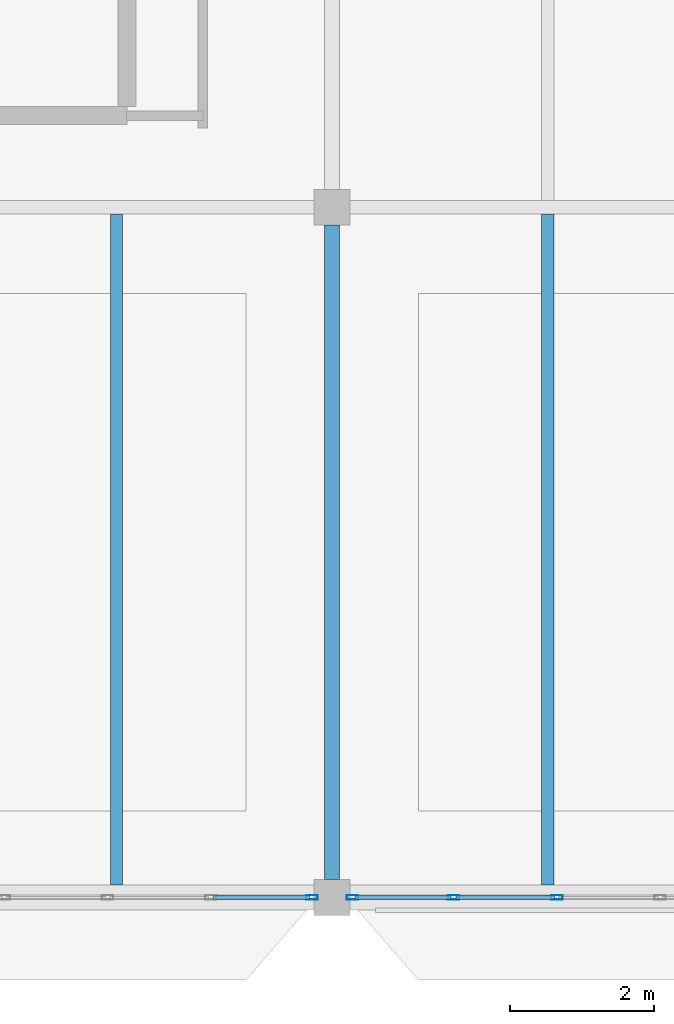
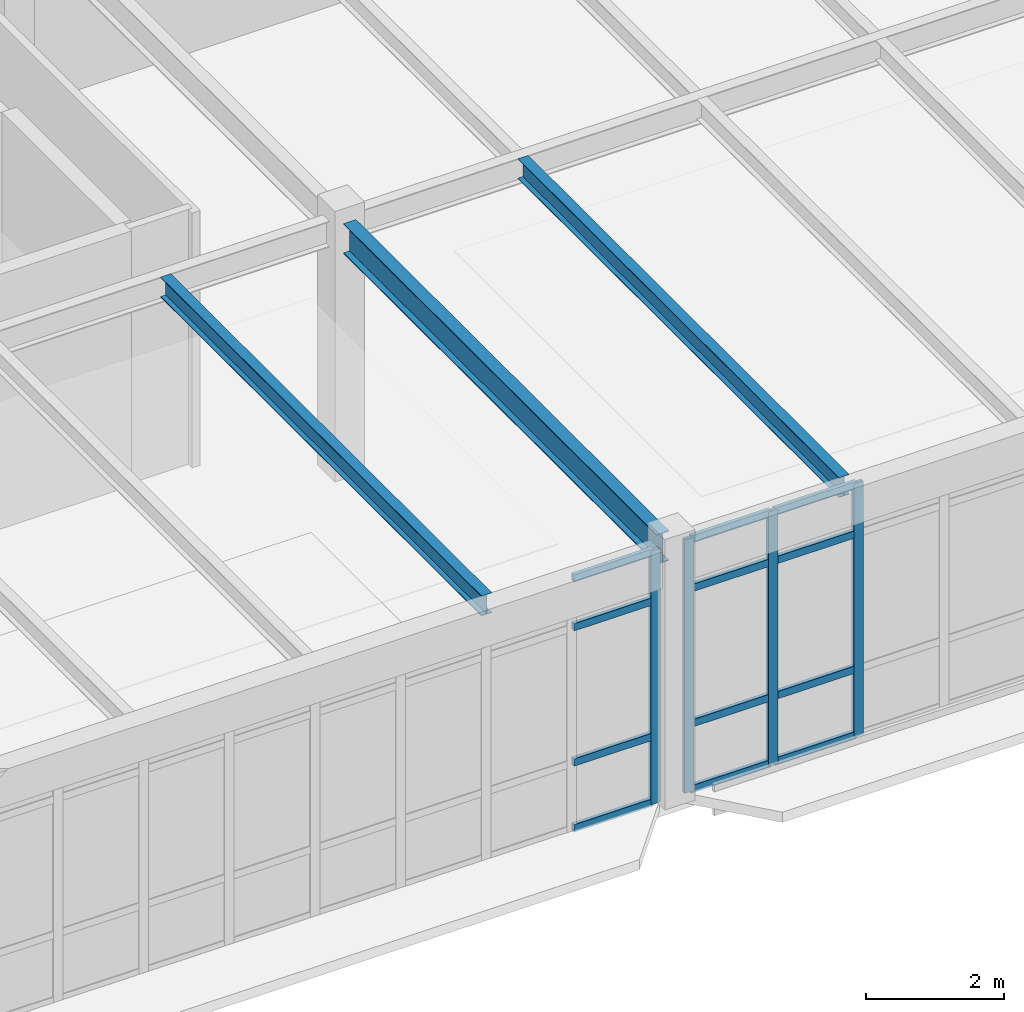
# One storey, part 11 of 236: 16 members, 3 beams, 2 elements without a shape of their own.
"""IFC4 building model written with IfcOpenShell, lengths in metres."""

from ifc_helpers import new_model, si_unit, direction, frame, origin, origin_2d, place, context, subcontext, project, spatial, hollow_rectangle, i_section, extrude, material, layer, layer_set, material_profile, profile_set, type_object, element, aggregate, save


model = new_model("IFC4")

# Units and contexts
model_context = context("Model", 3, precision=1e-05, world=origin(), true_north=direction((0.0, 1.0)))
body_context = subcontext(model_context, "Body", "Model", "MODEL_VIEW")
ifc_project = project(units=[si_unit("LENGTHUNIT", "METRE"), si_unit("AREAUNIT", "SQUARE_METRE"), si_unit("VOLUMEUNIT", "CUBIC_METRE"), si_unit("PLANEANGLEUNIT", "RADIAN"), si_unit("MASSUNIT", "GRAM", prefix="KILO")], contexts=[model_context])

# Site, building, storey
site_placement = place(None, origin())
site = spatial("IfcSite", under=ifc_project, at=site_placement, CompositionType="ELEMENT")
building_placement = place(site_placement, origin())
building = spatial("IfcBuilding", under=site, at=building_placement, Name="Pandanus Reach Market Hall", CompositionType="ELEMENT")
storey_placement = place(building_placement, frame((0.0, 0.0, 5.39990234375)))
storey = spatial("IfcBuildingStorey", under=building, at=storey_placement, Name="L01", CompositionType="ELEMENT", Elevation=5.39990234375)

# Beam
ifc_material_1 = material(Name="Steel Grade 350 (350 MPa)", Category="steel")
ifc_material_profile_1 = material_profile(ifc_material_1, i_section(OverallWidth=0.208984375, OverallDepth=0.532958984375, WebThickness=0.01025390625, FlangeThickness=0.015625, at=origin_2d()), Name="530UB92.4", Category="LoadBearing")
ifc_profile_set_1 = profile_set([ifc_material_profile_1], Name="Steel Grade 350 (350 MPa)")
beam_type_1 = type_object("IfcBeamType", Name="BM-UB530-I", PredefinedType="BEAM", material=ifc_profile_set_1)
beam_placement = place(storey_placement, frame((12.0, 0.248046875, 4.268310546875), z_axis=(0.0, 1.0, 0.0), x_axis=(-1.0, 0.0, 0.0)))
element("IfcBeam", 1, at=beam_placement, inside=storey, type_object=beam_type_1, Name="Framing beam BM-UB530-I L01.981", PredefinedType="BEAM", context=body_context, shape_type="SweptSolid", body=[
    extrude(i_section(OverallWidth=0.208984375, OverallDepth=0.532958984375, WebThickness=0.01025390625, FlangeThickness=0.015625, at=origin_2d()), origin(), (0.0, 0.0, 1.0), 9.10400390625),
])

# Curtain wall, member
ifc_material_2 = material(Name="Bronze anodised aluminium and low-E glass", Category="aluminium")
ifc_layer = layer(ifc_material_2, 0.159912109375, Name="CW-15")
ifc_layer_set = layer_set([ifc_layer], Name="Bronze anodised aluminium and low-E glass")
curtain_wall_type = type_object("IfcCurtainWallType", Name="CW-15", PredefinedType="NOTDEFINED", material=ifc_layer_set)
curtain_wall_1_placement = place(storey_placement, origin())
curtain_wall_1 = element("IfcCurtainWall", 2, at=curtain_wall_1_placement, inside=storey, type_object=curtain_wall_type, Name="Glazed curtain wall CW-15 CW-0054", PredefinedType="NOTDEFINED")
ifc_material_3 = material(Name="Bronze anodised aluminium", Category="aluminium")
ifc_material_profile_2 = material_profile(ifc_material_3, hollow_rectangle(XDim=0.06494140625, YDim=0.159912109375, WallThickness=0.00390625, at=origin_2d()), Name="ALU65x160", Category="LoadBearing")
ifc_profile_set_2 = profile_set([ifc_material_profile_2], Name="Bronze anodised aluminium")
member_type_1 = type_object("IfcMemberType", Name="CW-M1", PredefinedType="MULLION", material=ifc_profile_set_2)
member_1_placement = place(storey_placement, frame((11.717529296875, 0.0, 0.0), z_axis=(0.0, 0.0, 1.0), x_axis=(0.0, 1.0, 0.0)))
member_1 = element("IfcMember", 3, at=member_1_placement, type_object=member_type_1, Name="CW-15 mullion 9", PredefinedType="MULLION", context=body_context, shape_type="SweptSolid", body=[
    extrude(hollow_rectangle(XDim=0.06494140625, YDim=0.159912109375, WallThickness=0.00390625, at=origin_2d()), origin(), (0.0, 0.0, 1.0), 4.5),
])

# Curtain wall, members
curtain_wall_2_placement = place(storey_placement, origin())
curtain_wall_2 = element("IfcCurtainWall", 4, at=curtain_wall_2_placement, inside=storey, type_object=curtain_wall_type, Name="Glazed curtain wall CW-15 CW-0055", PredefinedType="NOTDEFINED")
member_2_placement = place(storey_placement, frame((12.282470703125, 0.0, 0.0), z_axis=(0.0, 0.0, 1.0), x_axis=(0.0, 1.0, 0.0)))
member_2 = element("IfcMember", 5, at=member_2_placement, type_object=member_type_1, Name="CW-15 mullion 1", PredefinedType="MULLION", context=body_context, shape_type="SweptSolid", body=[
    extrude(hollow_rectangle(XDim=0.06494140625, YDim=0.159912109375, WallThickness=0.00390625, at=origin_2d()), origin(), (0.0, 0.0, 1.0), 4.5),
])
member_3_placement = place(storey_placement, frame((13.6875, 0.0, 0.0), z_axis=(0.0, 0.0, 1.0), x_axis=(0.0, 1.0, 0.0)))
member_3 = element("IfcMember", 6, at=member_3_placement, type_object=member_type_1, Name="CW-15 mullion 2", PredefinedType="MULLION", context=body_context, shape_type="SweptSolid", body=[
    extrude(hollow_rectangle(XDim=0.06494140625, YDim=0.159912109375, WallThickness=0.00390625, at=origin_2d()), origin(), (0.0, 0.0, 1.0), 4.5),
])
member_4_placement = place(storey_placement, frame((15.125, 0.0, 0.0), z_axis=(0.0, 0.0, 1.0), x_axis=(0.0, 1.0, 0.0)))
member_4 = element("IfcMember", 7, at=member_4_placement, type_object=member_type_1, Name="CW-15 mullion 3", PredefinedType="MULLION", context=body_context, shape_type="SweptSolid", body=[
    extrude(hollow_rectangle(XDim=0.06494140625, YDim=0.159912109375, WallThickness=0.00390625, at=origin_2d()), origin(), (0.0, 0.0, 1.0), 4.5),
])

# Member
ifc_material_profile_3 = material_profile(ifc_material_3, hollow_rectangle(XDim=0.06494140625, YDim=0.1298828125, WallThickness=0.00390625, at=origin_2d()), Name="ALU65x130", Category="LoadBearing")
ifc_profile_set_3 = profile_set([ifc_material_profile_3], Name="Bronze anodised aluminium")
member_type_2 = type_object("IfcMemberType", Name="CW-T1", PredefinedType="USERDEFINED", material=ifc_profile_set_3)
member_5_placement = place(storey_placement, frame((10.344970703125, 0.0, 0.03271484375), z_axis=(1.0, 0.0, 0.0), x_axis=(0.0, 1.0, 0.0)))
member_5 = element("IfcMember", 8, at=member_5_placement, type_object=member_type_2, Name="CW-15 transom 8.1", ObjectType="TRANSOM", PredefinedType="USERDEFINED", context=body_context, shape_type="SweptSolid", body=[
    extrude(hollow_rectangle(XDim=0.06494140625, YDim=0.1298828125, WallThickness=0.00390625, at=origin_2d()), origin(), (0.0, 0.0, 1.0), 1.340087890625),
])

member_6_placement = place(storey_placement, frame((10.344970703125, 0.0, 1.2001953125), z_axis=(1.0, 0.0, 0.0), x_axis=(0.0, 1.0, 0.0)))
member_6 = element("IfcMember", 9, at=member_6_placement, type_object=member_type_2, Name="CW-15 transom 8.2", ObjectType="TRANSOM", PredefinedType="USERDEFINED", context=body_context, shape_type="SweptSolid", body=[
    extrude(hollow_rectangle(XDim=0.06494140625, YDim=0.1298828125, WallThickness=0.00390625, at=origin_2d()), origin(), (0.0, 0.0, 1.0), 1.340087890625),
])

member_7_placement = place(storey_placement, frame((10.344970703125, 0.0, 3.60009765625), z_axis=(1.0, 0.0, 0.0), x_axis=(0.0, 1.0, 0.0)))
member_7 = element("IfcMember", 10, at=member_7_placement, type_object=member_type_2, Name="CW-15 transom 8.3", ObjectType="TRANSOM", PredefinedType="USERDEFINED", context=body_context, shape_type="SweptSolid", body=[
    extrude(hollow_rectangle(XDim=0.06494140625, YDim=0.1298828125, WallThickness=0.00390625, at=origin_2d()), origin(), (0.0, 0.0, 1.0), 1.340087890625),
])

member_8_placement = place(storey_placement, frame((10.344970703125, 0.0, 4.467529296875), z_axis=(1.0, 0.0, 0.0), x_axis=(0.0, 1.0, 0.0)))
member_8 = element("IfcMember", 11, at=member_8_placement, type_object=member_type_2, Name="CW-15 transom 8.4", ObjectType="TRANSOM", PredefinedType="USERDEFINED", context=body_context, shape_type="SweptSolid", body=[
    extrude(hollow_rectangle(XDim=0.06494140625, YDim=0.1298828125, WallThickness=0.00390625, at=origin_2d()), origin(), (0.0, 0.0, 1.0), 1.340087890625),
])

aggregate(curtain_wall_1, [member_1, member_5, member_6, member_7, member_8])

member_9_placement = place(storey_placement, frame((12.31494140625, 0.0, 0.03271484375), z_axis=(1.0, 0.0, 0.0), x_axis=(0.0, 1.0, 0.0)))
member_9 = element("IfcMember", 12, at=member_9_placement, type_object=member_type_2, Name="CW-15 transom 1.1", ObjectType="TRANSOM", PredefinedType="USERDEFINED", context=body_context, shape_type="SweptSolid", body=[
    extrude(hollow_rectangle(XDim=0.06494140625, YDim=0.1298828125, WallThickness=0.00390625, at=origin_2d()), origin(), (0.0, 0.0, 1.0), 1.340087890625),
])

member_10_placement = place(storey_placement, frame((12.31494140625, 0.0, 1.2001953125), z_axis=(1.0, 0.0, 0.0), x_axis=(0.0, 1.0, 0.0)))
member_10 = element("IfcMember", 13, at=member_10_placement, type_object=member_type_2, Name="CW-15 transom 1.2", ObjectType="TRANSOM", PredefinedType="USERDEFINED", context=body_context, shape_type="SweptSolid", body=[
    extrude(hollow_rectangle(XDim=0.06494140625, YDim=0.1298828125, WallThickness=0.00390625, at=origin_2d()), origin(), (0.0, 0.0, 1.0), 1.340087890625),
])

member_11_placement = place(storey_placement, frame((12.31494140625, 0.0, 3.60009765625), z_axis=(1.0, 0.0, 0.0), x_axis=(0.0, 1.0, 0.0)))
member_11 = element("IfcMember", 14, at=member_11_placement, type_object=member_type_2, Name="CW-15 transom 1.3", ObjectType="TRANSOM", PredefinedType="USERDEFINED", context=body_context, shape_type="SweptSolid", body=[
    extrude(hollow_rectangle(XDim=0.06494140625, YDim=0.1298828125, WallThickness=0.00390625, at=origin_2d()), origin(), (0.0, 0.0, 1.0), 1.340087890625),
])

member_12_placement = place(storey_placement, frame((12.31494140625, 0.0, 4.467529296875), z_axis=(1.0, 0.0, 0.0), x_axis=(0.0, 1.0, 0.0)))
member_12 = element("IfcMember", 15, at=member_12_placement, type_object=member_type_2, Name="CW-15 transom 1.4", ObjectType="TRANSOM", PredefinedType="USERDEFINED", context=body_context, shape_type="SweptSolid", body=[
    extrude(hollow_rectangle(XDim=0.06494140625, YDim=0.1298828125, WallThickness=0.00390625, at=origin_2d()), origin(), (0.0, 0.0, 1.0), 1.340087890625),
])

member_13_placement = place(storey_placement, frame((13.719970703125, 0.0, 0.03271484375), z_axis=(1.0, 0.0, 0.0), x_axis=(0.0, 1.0, 0.0)))
member_13 = element("IfcMember", 16, at=member_13_placement, type_object=member_type_2, Name="CW-15 transom 2.1", ObjectType="TRANSOM", PredefinedType="USERDEFINED", context=body_context, shape_type="SweptSolid", body=[
    extrude(hollow_rectangle(XDim=0.06494140625, YDim=0.1298828125, WallThickness=0.00390625, at=origin_2d()), origin(), (0.0, 0.0, 1.0), 1.37255859375),
])

member_14_placement = place(storey_placement, frame((13.719970703125, 0.0, 1.2001953125), z_axis=(1.0, 0.0, 0.0), x_axis=(0.0, 1.0, 0.0)))
member_14 = element("IfcMember", 17, at=member_14_placement, type_object=member_type_2, Name="CW-15 transom 2.2", ObjectType="TRANSOM", PredefinedType="USERDEFINED", context=body_context, shape_type="SweptSolid", body=[
    extrude(hollow_rectangle(XDim=0.06494140625, YDim=0.1298828125, WallThickness=0.00390625, at=origin_2d()), origin(), (0.0, 0.0, 1.0), 1.37255859375),
])

member_15_placement = place(storey_placement, frame((13.719970703125, 0.0, 3.60009765625), z_axis=(1.0, 0.0, 0.0), x_axis=(0.0, 1.0, 0.0)))
member_15 = element("IfcMember", 18, at=member_15_placement, type_object=member_type_2, Name="CW-15 transom 2.3", ObjectType="TRANSOM", PredefinedType="USERDEFINED", context=body_context, shape_type="SweptSolid", body=[
    extrude(hollow_rectangle(XDim=0.06494140625, YDim=0.1298828125, WallThickness=0.00390625, at=origin_2d()), origin(), (0.0, 0.0, 1.0), 1.37255859375),
])

member_16_placement = place(storey_placement, frame((13.719970703125, 0.0, 4.467529296875), z_axis=(1.0, 0.0, 0.0), x_axis=(0.0, 1.0, 0.0)))
member_16 = element("IfcMember", 19, at=member_16_placement, type_object=member_type_2, Name="CW-15 transom 2.4", ObjectType="TRANSOM", PredefinedType="USERDEFINED", context=body_context, shape_type="SweptSolid", body=[
    extrude(hollow_rectangle(XDim=0.06494140625, YDim=0.1298828125, WallThickness=0.00390625, at=origin_2d()), origin(), (0.0, 0.0, 1.0), 1.37255859375),
])

aggregate(curtain_wall_2, [member_2, member_3, member_4, member_9, member_10, member_11, member_12, member_13, member_14, member_15, member_16])

# Beams
ifc_material_profile_4 = material_profile(ifc_material_1, i_section(OverallWidth=0.1708984375, OverallDepth=0.35595703125, WebThickness=0.00732421875, FlangeThickness=0.011474609375, at=origin_2d()), Name="360UB50.7", Category="LoadBearing")
ifc_profile_set_4 = profile_set([ifc_material_profile_4], Name="Steel Grade 350 (350 MPa)")
beam_type_2 = type_object("IfcBeamType", Name="JS-UB360-I", PredefinedType="JOIST", material=ifc_profile_set_4)
for number, where, z_axis, x_axis, name in (
    (20, (9.0, 0.173095703125, 4.356689453125), (0.0, 1.0, 0.0), (-1.0, 0.0, 0.0), "Secondary joist JS-UB360-I L01.992"),
    (21, (15.0, 0.173095703125, 4.356689453125), (0.0, 1.0, 0.0), (-1.0, 0.0, 0.0), "Secondary joist JS-UB360-I L01.996"),
):
    element("IfcBeam", number, at=place(storey_placement, frame(where, z_axis=z_axis, x_axis=x_axis)), inside=storey, type_object=beam_type_2, Name=name, PredefinedType="JOIST", context=body_context, shape_type="SweptSolid", body=[
        extrude(i_section(OverallWidth=0.1708984375, OverallDepth=0.35595703125, WebThickness=0.00732421875, FlangeThickness=0.011474609375, at=origin_2d()), origin(), (0.0, 0.0, 1.0), 9.333984375),
    ])

save(model, "model.ifc")
